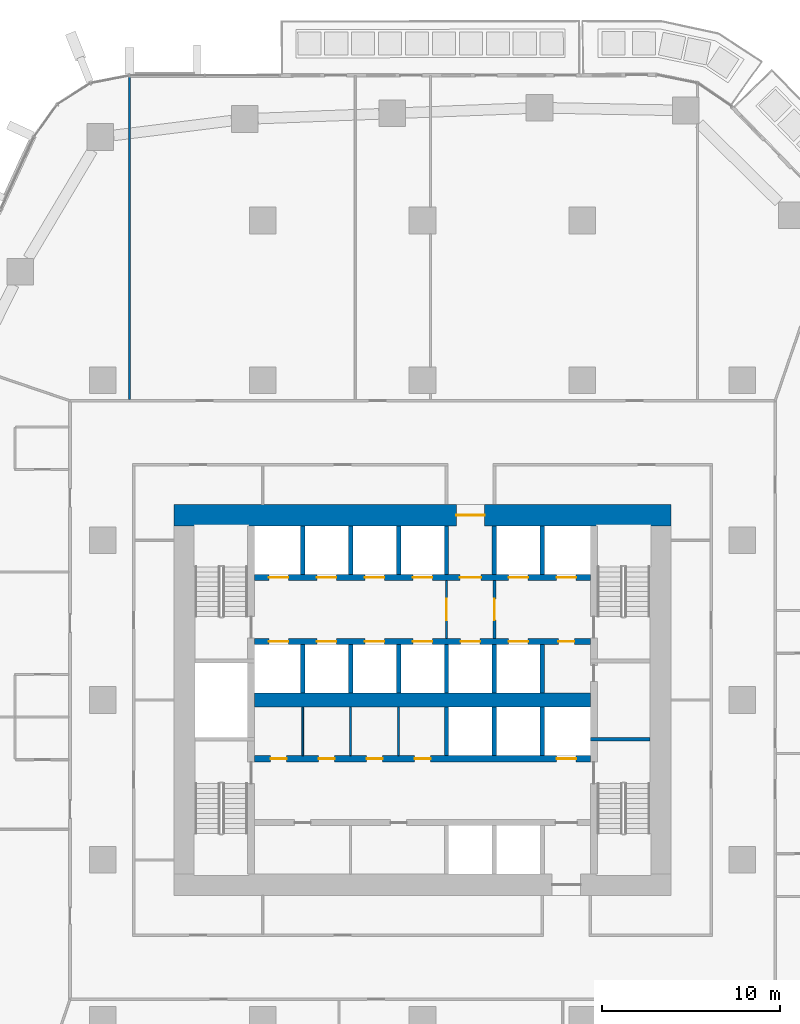
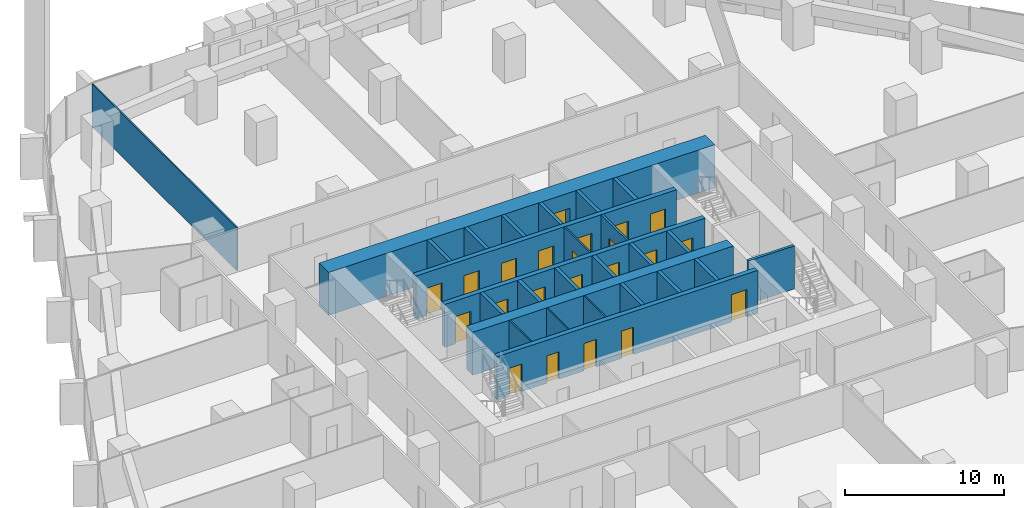
# One storey, part 15 of 26: 27 walls, 22 doors, 22 openings.
"""IFC4 building model written with IfcOpenShell, lengths in metres."""

from ifc_helpers import new_model, si_unit, direction, frame, frame_2d, origin, place, context, subcontext, project, spatial, rectangle, extrude, material, layer, layer_set, type_object, element, fill, save


model = new_model("IFC4")

# Units and contexts
model_context = context("Model", 3, precision=1e-05, world=origin(), true_north=direction((0.0, 1.0)))
body_context = subcontext(model_context, "Body", "Model", "MODEL_VIEW")
ifc_project = project(units=[si_unit("LENGTHUNIT", "METRE"), si_unit("AREAUNIT", "SQUARE_METRE"), si_unit("VOLUMEUNIT", "CUBIC_METRE"), si_unit("PLANEANGLEUNIT", "RADIAN"), si_unit("MASSUNIT", "GRAM", prefix="KILO")], contexts=[model_context])

# Site, building, storey
site_placement = place(None, origin())
site = spatial("IfcSite", under=ifc_project, at=site_placement, CompositionType="ELEMENT")
building_placement = place(site_placement, origin())
building = spatial("IfcBuilding", under=site, at=building_placement, Name="Dongbaek Canopy Tower", CompositionType="ELEMENT")
storey_placement = place(building_placement, frame((0.0, 0.0, 66.199951171875)))
storey = spatial("IfcBuildingStorey", under=building, at=storey_placement, Name="L12", CompositionType="ELEMENT", Elevation=66.199951171875)

# Wall
ifc_material_1 = material(Name="Concrete C60/75", Category="concrete")
ifc_layer_1 = layer(ifc_material_1, 0.800048828125)
ifc_layer_set_1 = layer_set([ifc_layer_1], Name="Core central wall 800 Concrete C60/75")
wall_type_1 = type_object("IfcWallType", Name="Core central wall 800 Concrete C60/75", PredefinedType="SHEAR", material=ifc_layer_set_1)
wall_1_placement = place(storey_placement, frame((-9.449951171875, 0.0, 0.0), z_axis=(0.0, 0.0, 1.0), x_axis=(1.0, 0.0, 0.0)))
element("IfcWall", 1, at=wall_1_placement, inside=storey, type_object=wall_type_1, Name="Core wall", PredefinedType="SHEAR", context=body_context, shape_type="SweptSolid", body=[
    extrude(rectangle(XDim=18.89990234375, YDim=0.800048828125, at=frame_2d((9.449951171875, 0.0))), origin(), (0.0, 0.0, 1.0), 3.300048828125),
])

# Wall, openings, doors
ifc_material_2 = material(Name="Concrete C60/75", Category="concrete")
ifc_layer_2 = layer(ifc_material_2, 0.35009765625)
ifc_layer_set_2 = layer_set([ifc_layer_2], Name="Core lobby wall 350 Concrete C60/75")
wall_type_2 = type_object("IfcWallType", Name="Core lobby wall 350 Concrete C60/75", PredefinedType="SHEAR", material=ifc_layer_set_2)
wall_2_placement = place(storey_placement, frame((-9.449951171875, 6.89990234375, 0.0), z_axis=(0.0, 0.0, 1.0), x_axis=(1.0, 0.0, 0.0)))
wall_2 = element("IfcWall", 2, at=wall_2_placement, inside=storey, type_object=wall_type_2, Name="Core wall", PredefinedType="SHEAR", context=body_context, shape_type="SweptSolid", body=[
    extrude(rectangle(XDim=18.89990234375, YDim=0.35009765625, at=frame_2d((9.449951171875, 0.0))), origin(), (0.0, 0.0, 1.0), 3.300048828125),
])
opening_1_placement = place(wall_2_placement, frame((0.800048828125, 0.0, 0.0)))
opening_1 = element("IfcOpeningElement", 3, at=opening_1_placement, cuts=wall_2, Name="Opening L12-D028", PredefinedType="OPENING", context=body_context, shape_type="SweptSolid", body=[
    extrude(rectangle(XDim=1.10009765625, YDim=2.10009765625, at=frame_2d((0.550048828125, 1.050048828125))), frame((0.0, 0.18505859375, 0.0), z_axis=(0.0, -1.0, 0.0), x_axis=(1.0, 0.0, 0.0)), (0.0, 0.0, 1.0), 0.3701171875),
])
opening_2_placement = place(wall_2_placement, frame((3.5, 0.0, 0.0)))
opening_2 = element("IfcOpeningElement", 4, at=opening_2_placement, cuts=wall_2, Name="Opening L12-D029", PredefinedType="OPENING", context=body_context, shape_type="SweptSolid", body=[
    extrude(rectangle(XDim=1.10009765625, YDim=2.10009765625, at=frame_2d((0.550048828125, 1.050048828125))), frame((0.0, 0.18505859375, 0.0), z_axis=(0.0, -1.0, 0.0), x_axis=(1.0, 0.0, 0.0)), (0.0, 0.0, 1.0), 0.3701171875),
])
opening_3_placement = place(wall_2_placement, frame((6.199951171875, 0.0, 0.0)))
opening_3 = element("IfcOpeningElement", 5, at=opening_3_placement, cuts=wall_2, Name="Opening L12-D030", PredefinedType="OPENING", context=body_context, shape_type="SweptSolid", body=[
    extrude(rectangle(XDim=1.10009765625, YDim=2.10009765625, at=frame_2d((0.550048828125, 1.050048828125))), frame((0.0, 0.18505859375, 0.0), z_axis=(0.0, -1.0, 0.0), x_axis=(1.0, 0.0, 0.0)), (0.0, 0.0, 1.0), 0.3701171875),
])
opening_4_placement = place(wall_2_placement, frame((8.89990234375, 0.0, 0.0)))
opening_4 = element("IfcOpeningElement", 6, at=opening_4_placement, cuts=wall_2, Name="Opening L12-D031", PredefinedType="OPENING", context=body_context, shape_type="SweptSolid", body=[
    extrude(rectangle(XDim=1.10009765625, YDim=2.10009765625, at=frame_2d((0.550048828125, 1.050048828125))), frame((0.0, 0.18505859375, 0.0), z_axis=(0.0, -1.0, 0.0), x_axis=(1.0, 0.0, 0.0)), (0.0, 0.0, 1.0), 0.3701171875),
])
opening_5_placement = place(wall_2_placement, frame((11.550048828125, 0.0, 0.0)))
opening_5 = element("IfcOpeningElement", 7, at=opening_5_placement, cuts=wall_2, Name="Opening L12-D033", PredefinedType="OPENING", context=body_context, shape_type="SweptSolid", body=[
    extrude(rectangle(XDim=1.199951171875, YDim=2.10009765625, at=frame_2d((0.60009765625, 1.050048828125))), frame((0.0, 0.18505859375, 0.0), z_axis=(0.0, -1.0, 0.0), x_axis=(1.0, 0.0, 0.0)), (0.0, 0.0, 1.0), 0.3701171875),
])
opening_6_placement = place(wall_2_placement, frame((14.300048828125, 0.0, 0.0)))
opening_6 = element("IfcOpeningElement", 8, at=opening_6_placement, cuts=wall_2, Name="Opening L12-D034", PredefinedType="OPENING", context=body_context, shape_type="SweptSolid", body=[
    extrude(rectangle(XDim=1.10009765625, YDim=2.10009765625, at=frame_2d((0.550048828125, 1.050048828125))), frame((0.0, 0.18505859375, 0.0), z_axis=(0.0, -1.0, 0.0), x_axis=(1.0, 0.0, 0.0)), (0.0, 0.0, 1.0), 0.3701171875),
])
opening_7_placement = place(wall_2_placement, frame((17.0, 0.0, 0.0)))
opening_7 = element("IfcOpeningElement", 9, at=opening_7_placement, cuts=wall_2, Name="Opening L12-D035", PredefinedType="OPENING", context=body_context, shape_type="SweptSolid", body=[
    extrude(rectangle(XDim=1.10009765625, YDim=2.10009765625, at=frame_2d((0.550048828125, 1.050048828125))), frame((0.0, 0.18505859375, 0.0), z_axis=(0.0, -1.0, 0.0), x_axis=(1.0, 0.0, 0.0)), (0.0, 0.0, 1.0), 0.3701171875),
])
ifc_material_3 = material(Name="Steel", Category="steel")
door_type_1 = type_object("IfcDoorType", Name="Fire lobby door 1200 x 2100", OperationType="SINGLE_SWING_LEFT", PredefinedType="DOOR", material=ifc_material_3)
door_1_placement = place(opening_5_placement, origin())
door_1 = element("IfcDoor", 10, at=door_1_placement, inside=storey, type_object=door_type_1, Name="Door L12-D033", OperationType="SINGLE_SWING_LEFT", OverallHeight=2.10009765625, OverallWidth=1.199951171875, PredefinedType="DOOR", context=body_context, shape_type="SweptSolid", body=[
    extrude(rectangle(XDim=1.199951171875, YDim=2.10009765625, at=frame_2d((0.60009765625, 1.050048828125))), frame((0.0, 0.02490234375, 0.0), z_axis=(0.0, -1.0, 0.0), x_axis=(1.0, 0.0, 0.0)), (0.0, 0.0, 1.0), 0.050048828125),
])
fill(opening_5, door_1)
ifc_material_4 = material(Name="Stainless steel", Category="steel")
door_type_2 = type_object("IfcDoorType", Name="Lift landing door 1100 x 2100", OperationType="DOUBLE_DOOR_SLIDING", PredefinedType="DOOR", material=ifc_material_4)
door_2_placement = place(opening_1_placement, origin())
door_2 = element("IfcDoor", 11, at=door_2_placement, inside=storey, type_object=door_type_2, Name="Landing door LR1", OperationType="DOUBLE_DOOR_SLIDING", OverallHeight=2.10009765625, OverallWidth=1.10009765625, PredefinedType="DOOR", context=body_context, shape_type="SweptSolid", body=[
    extrude(rectangle(XDim=1.10009765625, YDim=2.10009765625, at=frame_2d((0.550048828125, 1.050048828125))), frame((0.0, 0.02490234375, 0.0), z_axis=(0.0, -1.0, 0.0), x_axis=(1.0, 0.0, 0.0)), (0.0, 0.0, 1.0), 0.050048828125),
])
fill(opening_1, door_2)
door_3_placement = place(opening_2_placement, origin())
door_3 = element("IfcDoor", 12, at=door_3_placement, inside=storey, type_object=door_type_2, Name="Landing door LR2", OperationType="DOUBLE_DOOR_SLIDING", OverallHeight=2.10009765625, OverallWidth=1.10009765625, PredefinedType="DOOR", context=body_context, shape_type="SweptSolid", body=[
    extrude(rectangle(XDim=1.10009765625, YDim=2.10009765625, at=frame_2d((0.550048828125, 1.050048828125))), frame((0.0, 0.02490234375, 0.0), z_axis=(0.0, -1.0, 0.0), x_axis=(1.0, 0.0, 0.0)), (0.0, 0.0, 1.0), 0.050048828125),
])
fill(opening_2, door_3)
door_4_placement = place(opening_3_placement, origin())
door_4 = element("IfcDoor", 13, at=door_4_placement, inside=storey, type_object=door_type_2, Name="Landing door LR3", OperationType="DOUBLE_DOOR_SLIDING", OverallHeight=2.10009765625, OverallWidth=1.10009765625, PredefinedType="DOOR", context=body_context, shape_type="SweptSolid", body=[
    extrude(rectangle(XDim=1.10009765625, YDim=2.10009765625, at=frame_2d((0.550048828125, 1.050048828125))), frame((0.0, 0.02490234375, 0.0), z_axis=(0.0, -1.0, 0.0), x_axis=(1.0, 0.0, 0.0)), (0.0, 0.0, 1.0), 0.050048828125),
])
fill(opening_3, door_4)
door_5_placement = place(opening_4_placement, origin())
door_5 = element("IfcDoor", 14, at=door_5_placement, inside=storey, type_object=door_type_2, Name="Landing door LR4", OperationType="DOUBLE_DOOR_SLIDING", OverallHeight=2.10009765625, OverallWidth=1.10009765625, PredefinedType="DOOR", context=body_context, shape_type="SweptSolid", body=[
    extrude(rectangle(XDim=1.10009765625, YDim=2.10009765625, at=frame_2d((0.550048828125, 1.050048828125))), frame((0.0, 0.02490234375, 0.0), z_axis=(0.0, -1.0, 0.0), x_axis=(1.0, 0.0, 0.0)), (0.0, 0.0, 1.0), 0.050048828125),
])
fill(opening_4, door_5)
door_6_placement = place(opening_6_placement, origin())
door_6 = element("IfcDoor", 15, at=door_6_placement, inside=storey, type_object=door_type_2, Name="Landing door FF1", OperationType="DOUBLE_DOOR_SLIDING", OverallHeight=2.10009765625, OverallWidth=1.10009765625, PredefinedType="DOOR", context=body_context, shape_type="SweptSolid", body=[
    extrude(rectangle(XDim=1.10009765625, YDim=2.10009765625, at=frame_2d((0.550048828125, 1.050048828125))), frame((0.0, 0.02490234375, 0.0), z_axis=(0.0, -1.0, 0.0), x_axis=(1.0, 0.0, 0.0)), (0.0, 0.0, 1.0), 0.050048828125),
])
fill(opening_6, door_6)
door_7_placement = place(opening_7_placement, origin())
door_7 = element("IfcDoor", 16, at=door_7_placement, inside=storey, type_object=door_type_2, Name="Landing door FF2", OperationType="DOUBLE_DOOR_SLIDING", OverallHeight=2.10009765625, OverallWidth=1.10009765625, PredefinedType="DOOR", context=body_context, shape_type="SweptSolid", body=[
    extrude(rectangle(XDim=1.10009765625, YDim=2.10009765625, at=frame_2d((0.550048828125, 1.050048828125))), frame((0.0, 0.02490234375, 0.0), z_axis=(0.0, -1.0, 0.0), x_axis=(1.0, 0.0, 0.0)), (0.0, 0.0, 1.0), 0.050048828125),
])
fill(opening_7, door_7)

wall_3_placement = place(storey_placement, frame((9.449951171875, 3.300048828125, 0.0), z_axis=(0.0, 0.0, 1.0), x_axis=(-1.0, 0.0, 0.0)))
wall_3 = element("IfcWall", 17, at=wall_3_placement, inside=storey, type_object=wall_type_2, Name="Core wall", PredefinedType="SHEAR", context=body_context, shape_type="SweptSolid", body=[
    extrude(rectangle(XDim=18.89990234375, YDim=0.35009765625, at=frame_2d((9.449951171875, 0.0))), origin(), (0.0, 0.0, 1.0), 3.300048828125),
])
opening_8_placement = place(wall_3_placement, frame((17.0, 0.0, 0.0)))
opening_8 = element("IfcOpeningElement", 18, at=opening_8_placement, cuts=wall_3, Name="Opening L12-D036", PredefinedType="OPENING", context=body_context, shape_type="SweptSolid", body=[
    extrude(rectangle(XDim=1.10009765625, YDim=2.10009765625, at=frame_2d((0.550048828125, 1.050048828125))), frame((0.0, 0.18505859375, 0.0), z_axis=(0.0, -1.0, 0.0), x_axis=(1.0, 0.0, 0.0)), (0.0, 0.0, 1.0), 0.3701171875),
])
opening_9_placement = place(wall_3_placement, frame((14.300048828125, 0.0, 0.0)))
opening_9 = element("IfcOpeningElement", 19, at=opening_9_placement, cuts=wall_3, Name="Opening L12-D037", PredefinedType="OPENING", context=body_context, shape_type="SweptSolid", body=[
    extrude(rectangle(XDim=1.10009765625, YDim=2.10009765625, at=frame_2d((0.550048828125, 1.050048828125))), frame((0.0, 0.18505859375, 0.0), z_axis=(0.0, -1.0, 0.0), x_axis=(1.0, 0.0, 0.0)), (0.0, 0.0, 1.0), 0.3701171875),
])
opening_10_placement = place(wall_3_placement, frame((11.60009765625, 0.0, 0.0)))
opening_10 = element("IfcOpeningElement", 20, at=opening_10_placement, cuts=wall_3, Name="Opening L12-D038", PredefinedType="OPENING", context=body_context, shape_type="SweptSolid", body=[
    extrude(rectangle(XDim=1.10009765625, YDim=2.10009765625, at=frame_2d((0.550048828125, 1.050048828125))), frame((0.0, 0.18505859375, 0.0), z_axis=(0.0, -1.0, 0.0), x_axis=(1.0, 0.0, 0.0)), (0.0, 0.0, 1.0), 0.3701171875),
])
opening_11_placement = place(wall_3_placement, frame((8.89990234375, 0.0, 0.0)))
opening_11 = element("IfcOpeningElement", 21, at=opening_11_placement, cuts=wall_3, Name="Opening L12-D039", PredefinedType="OPENING", context=body_context, shape_type="SweptSolid", body=[
    extrude(rectangle(XDim=1.10009765625, YDim=2.10009765625, at=frame_2d((0.550048828125, 1.050048828125))), frame((0.0, 0.18505859375, 0.0), z_axis=(0.0, -1.0, 0.0), x_axis=(1.0, 0.0, 0.0)), (0.0, 0.0, 1.0), 0.3701171875),
])
opening_12_placement = place(wall_3_placement, frame((6.199951171875, 0.0, 0.0)))
opening_12 = element("IfcOpeningElement", 22, at=opening_12_placement, cuts=wall_3, Name="Opening L12-D040", PredefinedType="OPENING", context=body_context, shape_type="SweptSolid", body=[
    extrude(rectangle(XDim=1.10009765625, YDim=2.10009765625, at=frame_2d((0.550048828125, 1.050048828125))), frame((0.0, 0.18505859375, 0.0), z_axis=(0.0, -1.0, 0.0), x_axis=(1.0, 0.0, 0.0)), (0.0, 0.0, 1.0), 0.3701171875),
])
opening_13_placement = place(wall_3_placement, frame((3.5, 0.0, 0.0)))
opening_13 = element("IfcOpeningElement", 23, at=opening_13_placement, cuts=wall_3, Name="Opening L12-D041", PredefinedType="OPENING", context=body_context, shape_type="SweptSolid", body=[
    extrude(rectangle(XDim=1.10009765625, YDim=2.10009765625, at=frame_2d((0.550048828125, 1.050048828125))), frame((0.0, 0.18505859375, 0.0), z_axis=(0.0, -1.0, 0.0), x_axis=(1.0, 0.0, 0.0)), (0.0, 0.0, 1.0), 0.3701171875),
])
opening_14_placement = place(wall_3_placement, frame((0.89990234375, 0.0, 0.0)))
opening_14 = element("IfcOpeningElement", 24, at=opening_14_placement, cuts=wall_3, Name="Opening L12-D042", PredefinedType="OPENING", context=body_context, shape_type="SweptSolid", body=[
    extrude(rectangle(XDim=0.89990234375, YDim=2.10009765625, at=frame_2d((0.449951171875, 1.050048828125))), frame((0.0, 0.18505859375, 0.0), z_axis=(0.0, -1.0, 0.0), x_axis=(1.0, 0.0, 0.0)), (0.0, 0.0, 1.0), 0.3701171875),
])
ifc_material_5 = material(Name="Steel", Category="steel")
door_type_3 = type_object("IfcDoorType", Name="Core room door 900 x 2100", OperationType="SINGLE_SWING_LEFT", PredefinedType="DOOR", material=ifc_material_5)
door_8_placement = place(opening_14_placement, origin())
door_8 = element("IfcDoor", 25, at=door_8_placement, inside=storey, type_object=door_type_3, Name="Door L12-D042", OperationType="SINGLE_SWING_LEFT", OverallHeight=2.10009765625, OverallWidth=0.89990234375, PredefinedType="DOOR", context=body_context, shape_type="SweptSolid", body=[
    extrude(rectangle(XDim=0.89990234375, YDim=2.10009765625, at=frame_2d((0.449951171875, 1.050048828125))), frame((0.0, 0.02490234375, 0.0), z_axis=(0.0, -1.0, 0.0), x_axis=(1.0, 0.0, 0.0)), (0.0, 0.0, 1.0), 0.050048828125),
])
fill(opening_14, door_8)
door_9_placement = place(opening_8_placement, origin())
door_9 = element("IfcDoor", 26, at=door_9_placement, inside=storey, type_object=door_type_2, Name="Landing door LR5", OperationType="DOUBLE_DOOR_SLIDING", OverallHeight=2.10009765625, OverallWidth=1.10009765625, PredefinedType="DOOR", context=body_context, shape_type="SweptSolid", body=[
    extrude(rectangle(XDim=1.10009765625, YDim=2.10009765625, at=frame_2d((0.550048828125, 1.050048828125))), frame((0.0, 0.02490234375, 0.0), z_axis=(0.0, -1.0, 0.0), x_axis=(1.0, 0.0, 0.0)), (0.0, 0.0, 1.0), 0.050048828125),
])
fill(opening_8, door_9)
door_10_placement = place(opening_9_placement, origin())
door_10 = element("IfcDoor", 27, at=door_10_placement, inside=storey, type_object=door_type_2, Name="Landing door LR6", OperationType="DOUBLE_DOOR_SLIDING", OverallHeight=2.10009765625, OverallWidth=1.10009765625, PredefinedType="DOOR", context=body_context, shape_type="SweptSolid", body=[
    extrude(rectangle(XDim=1.10009765625, YDim=2.10009765625, at=frame_2d((0.550048828125, 1.050048828125))), frame((0.0, 0.02490234375, 0.0), z_axis=(0.0, -1.0, 0.0), x_axis=(1.0, 0.0, 0.0)), (0.0, 0.0, 1.0), 0.050048828125),
])
fill(opening_9, door_10)
door_11_placement = place(opening_10_placement, origin())
door_11 = element("IfcDoor", 28, at=door_11_placement, inside=storey, type_object=door_type_2, Name="Landing door LR7", OperationType="DOUBLE_DOOR_SLIDING", OverallHeight=2.10009765625, OverallWidth=1.10009765625, PredefinedType="DOOR", context=body_context, shape_type="SweptSolid", body=[
    extrude(rectangle(XDim=1.10009765625, YDim=2.10009765625, at=frame_2d((0.550048828125, 1.050048828125))), frame((0.0, 0.02490234375, 0.0), z_axis=(0.0, -1.0, 0.0), x_axis=(1.0, 0.0, 0.0)), (0.0, 0.0, 1.0), 0.050048828125),
])
fill(opening_10, door_11)
door_12_placement = place(opening_11_placement, origin())
door_12 = element("IfcDoor", 29, at=door_12_placement, inside=storey, type_object=door_type_2, Name="Landing door LR8", OperationType="DOUBLE_DOOR_SLIDING", OverallHeight=2.10009765625, OverallWidth=1.10009765625, PredefinedType="DOOR", context=body_context, shape_type="SweptSolid", body=[
    extrude(rectangle(XDim=1.10009765625, YDim=2.10009765625, at=frame_2d((0.550048828125, 1.050048828125))), frame((0.0, 0.02490234375, 0.0), z_axis=(0.0, -1.0, 0.0), x_axis=(1.0, 0.0, 0.0)), (0.0, 0.0, 1.0), 0.050048828125),
])
fill(opening_11, door_12)
door_13_placement = place(opening_12_placement, origin())
door_13 = element("IfcDoor", 30, at=door_13_placement, inside=storey, type_object=door_type_2, Name="Landing door SV1", OperationType="DOUBLE_DOOR_SLIDING", OverallHeight=2.10009765625, OverallWidth=1.10009765625, PredefinedType="DOOR", context=body_context, shape_type="SweptSolid", body=[
    extrude(rectangle(XDim=1.10009765625, YDim=2.10009765625, at=frame_2d((0.550048828125, 1.050048828125))), frame((0.0, 0.02490234375, 0.0), z_axis=(0.0, -1.0, 0.0), x_axis=(1.0, 0.0, 0.0)), (0.0, 0.0, 1.0), 0.050048828125),
])
fill(opening_12, door_13)
door_14_placement = place(opening_13_placement, origin())
door_14 = element("IfcDoor", 31, at=door_14_placement, inside=storey, type_object=door_type_2, Name="Landing door FF3", OperationType="DOUBLE_DOOR_SLIDING", OverallHeight=2.10009765625, OverallWidth=1.10009765625, PredefinedType="DOOR", context=body_context, shape_type="SweptSolid", body=[
    extrude(rectangle(XDim=1.10009765625, YDim=2.10009765625, at=frame_2d((0.550048828125, 1.050048828125))), frame((0.0, 0.02490234375, 0.0), z_axis=(0.0, -1.0, 0.0), x_axis=(1.0, 0.0, 0.0)), (0.0, 0.0, 1.0), 0.050048828125),
])
fill(opening_13, door_14)

wall_4_placement = place(storey_placement, frame((-9.449951171875, -3.300048828125, 0.0), z_axis=(0.0, 0.0, 1.0), x_axis=(1.0, 0.0, 0.0)))
wall_4 = element("IfcWall", 32, at=wall_4_placement, inside=storey, type_object=wall_type_2, Name="Core wall", PredefinedType="SHEAR", context=body_context, shape_type="SweptSolid", body=[
    extrude(rectangle(XDim=18.89990234375, YDim=0.35009765625, at=frame_2d((9.449951171875, 0.0))), origin(), (0.0, 0.0, 1.0), 3.300048828125),
])
opening_15_placement = place(wall_4_placement, frame((17.0, 0.0, 0.0)))
opening_15 = element("IfcOpeningElement", 33, at=opening_15_placement, cuts=wall_4, Name="Opening L12-D043", PredefinedType="OPENING", context=body_context, shape_type="SweptSolid", body=[
    extrude(rectangle(XDim=1.10009765625, YDim=2.10009765625, at=frame_2d((0.550048828125, 1.050048828125))), frame((0.0, 0.18505859375, 0.0), z_axis=(0.0, -1.0, 0.0), x_axis=(1.0, 0.0, 0.0)), (0.0, 0.0, 1.0), 0.3701171875),
])
opening_16_placement = place(wall_4_placement, frame((0.89990234375, 0.0, 0.0)))
opening_16 = element("IfcOpeningElement", 34, at=opening_16_placement, cuts=wall_4, Name="Opening L12-D046", PredefinedType="OPENING", context=body_context, shape_type="SweptSolid", body=[
    extrude(rectangle(XDim=0.89990234375, YDim=2.10009765625, at=frame_2d((0.449951171875, 1.050048828125))), frame((0.0, 0.18505859375, 0.0), z_axis=(0.0, -1.0, 0.0), x_axis=(1.0, 0.0, 0.0)), (0.0, 0.0, 1.0), 0.3701171875),
])
opening_17_placement = place(wall_4_placement, frame((3.60009765625, 0.0, 0.0)))
opening_17 = element("IfcOpeningElement", 35, at=opening_17_placement, cuts=wall_4, Name="Opening L12-D047", PredefinedType="OPENING", context=body_context, shape_type="SweptSolid", body=[
    extrude(rectangle(XDim=0.89990234375, YDim=2.10009765625, at=frame_2d((0.449951171875, 1.050048828125))), frame((0.0, 0.18505859375, 0.0), z_axis=(0.0, -1.0, 0.0), x_axis=(1.0, 0.0, 0.0)), (0.0, 0.0, 1.0), 0.3701171875),
])
opening_18_placement = place(wall_4_placement, frame((6.300048828125, 0.0, 0.0)))
opening_18 = element("IfcOpeningElement", 36, at=opening_18_placement, cuts=wall_4, Name="Opening L12-D048", PredefinedType="OPENING", context=body_context, shape_type="SweptSolid", body=[
    extrude(rectangle(XDim=0.89990234375, YDim=2.10009765625, at=frame_2d((0.449951171875, 1.050048828125))), frame((0.0, 0.18505859375, 0.0), z_axis=(0.0, -1.0, 0.0), x_axis=(1.0, 0.0, 0.0)), (0.0, 0.0, 1.0), 0.3701171875),
])
opening_19_placement = place(wall_4_placement, frame((9.0, 0.0, 0.0)))
opening_19 = element("IfcOpeningElement", 37, at=opening_19_placement, cuts=wall_4, Name="Opening L12-D049", PredefinedType="OPENING", context=body_context, shape_type="SweptSolid", body=[
    extrude(rectangle(XDim=0.89990234375, YDim=2.10009765625, at=frame_2d((0.449951171875, 1.050048828125))), frame((0.0, 0.18505859375, 0.0), z_axis=(0.0, -1.0, 0.0), x_axis=(1.0, 0.0, 0.0)), (0.0, 0.0, 1.0), 0.3701171875),
])
door_15_placement = place(opening_16_placement, origin())
door_15 = element("IfcDoor", 38, at=door_15_placement, inside=storey, type_object=door_type_3, Name="Door L12-D046", OperationType="SINGLE_SWING_RIGHT", OverallHeight=2.10009765625, OverallWidth=0.89990234375, PredefinedType="DOOR", context=body_context, shape_type="SweptSolid", body=[
    extrude(rectangle(XDim=0.89990234375, YDim=2.10009765625, at=frame_2d((0.449951171875, 1.050048828125))), frame((0.0, 0.02490234375, 0.0), z_axis=(0.0, -1.0, 0.0), x_axis=(1.0, 0.0, 0.0)), (0.0, 0.0, 1.0), 0.050048828125),
])
fill(opening_16, door_15)
door_16_placement = place(opening_17_placement, origin())
door_16 = element("IfcDoor", 39, at=door_16_placement, inside=storey, type_object=door_type_3, Name="Door L12-D047", OperationType="SINGLE_SWING_LEFT", OverallHeight=2.10009765625, OverallWidth=0.89990234375, PredefinedType="DOOR", context=body_context, shape_type="SweptSolid", body=[
    extrude(rectangle(XDim=0.89990234375, YDim=2.10009765625, at=frame_2d((0.449951171875, 1.050048828125))), frame((0.0, 0.02490234375, 0.0), z_axis=(0.0, -1.0, 0.0), x_axis=(1.0, 0.0, 0.0)), (0.0, 0.0, 1.0), 0.050048828125),
])
fill(opening_17, door_16)
door_17_placement = place(opening_18_placement, origin())
door_17 = element("IfcDoor", 40, at=door_17_placement, inside=storey, type_object=door_type_3, Name="Door L12-D048", OperationType="SINGLE_SWING_RIGHT", OverallHeight=2.10009765625, OverallWidth=0.89990234375, PredefinedType="DOOR", context=body_context, shape_type="SweptSolid", body=[
    extrude(rectangle(XDim=0.89990234375, YDim=2.10009765625, at=frame_2d((0.449951171875, 1.050048828125))), frame((0.0, 0.02490234375, 0.0), z_axis=(0.0, -1.0, 0.0), x_axis=(1.0, 0.0, 0.0)), (0.0, 0.0, 1.0), 0.050048828125),
])
fill(opening_18, door_17)
door_18_placement = place(opening_19_placement, origin())
door_18 = element("IfcDoor", 41, at=door_18_placement, inside=storey, type_object=door_type_3, Name="Door L12-D049", OperationType="SINGLE_SWING_LEFT", OverallHeight=2.10009765625, OverallWidth=0.89990234375, PredefinedType="DOOR", context=body_context, shape_type="SweptSolid", body=[
    extrude(rectangle(XDim=0.89990234375, YDim=2.10009765625, at=frame_2d((0.449951171875, 1.050048828125))), frame((0.0, 0.02490234375, 0.0), z_axis=(0.0, -1.0, 0.0), x_axis=(1.0, 0.0, 0.0)), (0.0, 0.0, 1.0), 0.050048828125),
])
fill(opening_19, door_18)
door_19_placement = place(opening_15_placement, origin())
door_19 = element("IfcDoor", 42, at=door_19_placement, inside=storey, type_object=door_type_2, Name="Landing door SV2", OperationType="DOUBLE_DOOR_SLIDING", OverallHeight=2.10009765625, OverallWidth=1.10009765625, PredefinedType="DOOR", context=body_context, shape_type="SweptSolid", body=[
    extrude(rectangle(XDim=1.10009765625, YDim=2.10009765625, at=frame_2d((0.550048828125, 1.050048828125))), frame((0.0, 0.02490234375, 0.0), z_axis=(0.0, -1.0, 0.0), x_axis=(1.0, 0.0, 0.0)), (0.0, 0.0, 1.0), 0.050048828125),
])
fill(opening_15, door_19)

# Wall, opening, door
ifc_material_6 = material(Name="Concrete C60/75", Category="concrete")
ifc_layer_3 = layer(ifc_material_6, 1.199951171875)
ifc_layer_set_3 = layer_set([ifc_layer_3], Name="Core outer wall 1200 Concrete C60/75")
wall_type_3 = type_object("IfcWallType", Name="Core outer wall 1200 Concrete C60/75", PredefinedType="SHEAR", material=ifc_layer_set_3)
wall_5_placement = place(storey_placement, frame((-14.0, 10.39990234375, 0.0), z_axis=(0.0, 0.0, 1.0), x_axis=(1.0, 0.0, 0.0)))
wall_5 = element("IfcWall", 43, at=wall_5_placement, inside=storey, type_object=wall_type_3, Name="Core wall", PredefinedType="SHEAR", context=body_context, shape_type="SweptSolid", body=[
    extrude(rectangle(XDim=28.0, YDim=1.199951171875, at=frame_2d((14.0, 0.0))), origin(), (0.0, 0.0, 1.0), 3.300048828125),
])
opening_20_placement = place(wall_5_placement, frame((15.89990234375, 0.0, 0.0)))
opening_20 = element("IfcOpeningElement", 44, at=opening_20_placement, cuts=wall_5, Name="Opening L12-D032", PredefinedType="OPENING", context=body_context, shape_type="SweptSolid", body=[
    extrude(rectangle(XDim=1.60009765625, YDim=2.10009765625, at=frame_2d((0.800048828125, 1.050048828125))), frame((0.0, 0.60986328125, 0.0), z_axis=(0.0, -1.0, 0.0), x_axis=(1.0, 0.0, 0.0)), (0.0, 0.0, 1.0), 1.219970703125),
])
ifc_material_7 = material(Name="Steel", Category="steel")
door_type_4 = type_object("IfcDoorType", Name="Core exit door 1600 x 2100", OperationType="DOUBLE_DOOR_SINGLE_SWING", PredefinedType="DOOR", material=ifc_material_7)
door_20_placement = place(opening_20_placement, origin())
door_20 = element("IfcDoor", 45, at=door_20_placement, inside=storey, type_object=door_type_4, Name="Core exit door", OperationType="DOUBLE_DOOR_SINGLE_SWING", OverallHeight=2.10009765625, OverallWidth=1.60009765625, PredefinedType="DOOR", context=body_context, shape_type="SweptSolid", body=[
    extrude(rectangle(XDim=1.60009765625, YDim=2.10009765625, at=frame_2d((0.800048828125, 1.050048828125))), frame((0.0, 0.02490234375, 0.0), z_axis=(0.0, -1.0, 0.0), x_axis=(1.0, 0.0, 0.0)), (0.0, 0.0, 1.0), 0.050048828125),
])
fill(opening_20, door_20)

ifc_material_8 = material(Name="Gypsum board partition, steel stud, 2 x 15 mm fire board", Category="steel")
ifc_layer_4 = layer(ifc_material_8, 0.14990234375)
ifc_layer_set_4 = layer_set([ifc_layer_4], Name="Fire-rated partition 150 gypsum board")
wall_type_4 = type_object("IfcWallType", Name="Fire-rated partition 150 gypsum board", PredefinedType="PARTITIONING", material=ifc_layer_set_4)
wall_6_placement = place(storey_placement, frame((4.050048828125, 6.72509765625, 0.0), z_axis=(0.0, 0.0, 1.0), x_axis=(0.0, -1.0, 0.0)))
wall_6 = element("IfcWall", 46, at=wall_6_placement, inside=storey, type_object=wall_type_4, Name="Fire lobby partition", PredefinedType="PARTITIONING", context=body_context, shape_type="SweptSolid", body=[
    extrude(rectangle(XDim=3.25, YDim=0.14990234375, at=frame_2d((1.625, 0.0))), origin(), (0.0, 0.0, 1.0), 3.300048828125),
])
opening_21_placement = place(wall_6_placement, frame((1.02490234375, 0.0, 0.0)))
opening_21 = element("IfcOpeningElement", 47, at=opening_21_placement, cuts=wall_6, Name="Opening L12-D057", PredefinedType="OPENING", context=body_context, shape_type="SweptSolid", body=[
    extrude(rectangle(XDim=1.199951171875, YDim=2.10009765625, at=frame_2d((0.60009765625, 1.050048828125))), frame((0.0, 0.0849609375, 0.0), z_axis=(0.0, -1.0, 0.0), x_axis=(1.0, 0.0, 0.0)), (0.0, 0.0, 1.0), 0.169921875),
])
door_21_placement = place(opening_21_placement, origin())
door_21 = element("IfcDoor", 48, at=door_21_placement, inside=storey, type_object=door_type_1, Name="Door L12-D057", OperationType="SINGLE_SWING_RIGHT", OverallHeight=2.10009765625, OverallWidth=1.199951171875, PredefinedType="DOOR", context=body_context, shape_type="SweptSolid", body=[
    extrude(rectangle(XDim=1.199951171875, YDim=2.10009765625, at=frame_2d((0.60009765625, 1.050048828125))), frame((0.0, 0.02490234375, 0.0), z_axis=(0.0, -1.0, 0.0), x_axis=(1.0, 0.0, 0.0)), (0.0, 0.0, 1.0), 0.050048828125),
])
fill(opening_21, door_21)

# Walls
ifc_material_9 = material(Name="Concrete C40/50", Category="concrete")
ifc_layer_5 = layer(ifc_material_9, 0.25)
ifc_layer_set_5 = layer_set([ifc_layer_5], Name="Lift shaft wall 250 Concrete C40/50")
wall_type_5 = type_object("IfcWallType", Name="Lift shaft wall 250 Concrete C40/50", PredefinedType="SOLIDWALL", material=ifc_layer_set_5)
for number, where, z_axis, x_axis, name in (
    (49, (6.75, -3.125, 0.0), (0.0, 0.0, 1.0), (0.0, 1.0, 0.0), "Lift shaft wall"),
    (50, (6.75, 0.39990234375, 0.0), (0.0, 0.0, 1.0), (0.0, 1.0, 0.0), "Lift shaft wall"),
    (51, (6.75, 7.074951171875, 0.0), (0.0, 0.0, 1.0), (0.0, 1.0, 0.0), "Lift shaft wall"),
    (52, (4.050048828125, -3.125, 0.0), (0.0, 0.0, 1.0), (0.0, 1.0, 0.0), "Lift shaft wall"),
    (53, (4.050048828125, 0.39990234375, 0.0), (0.0, 0.0, 1.0), (0.0, 1.0, 0.0), "Lift shaft wall"),
    (54, (4.050048828125, 7.074951171875, 0.0), (0.0, 0.0, 1.0), (0.0, 1.0, 0.0), "Lift shaft wall"),
    (55, (1.35009765625, -3.125, 0.0), (0.0, 0.0, 1.0), (0.0, 1.0, 0.0), "Lift shaft wall"),
    (56, (1.35009765625, 0.39990234375, 0.0), (0.0, 0.0, 1.0), (0.0, 1.0, 0.0), "Lift shaft wall"),
    (57, (1.35009765625, 7.074951171875, 0.0), (0.0, 0.0, 1.0), (0.0, 1.0, 0.0), "Lift shaft wall"),
    (58, (-1.35009765625, 0.39990234375, 0.0), (0.0, 0.0, 1.0), (0.0, 1.0, 0.0), "Lift shaft wall"),
    (59, (-1.35009765625, 7.074951171875, 0.0), (0.0, 0.0, 1.0), (0.0, 1.0, 0.0), "Lift shaft wall"),
    (60, (-4.050048828125, 0.39990234375, 0.0), (0.0, 0.0, 1.0), (0.0, 1.0, 0.0), "Lift shaft wall"),
    (61, (-4.050048828125, 7.074951171875, 0.0), (0.0, 0.0, 1.0), (0.0, 1.0, 0.0), "Lift shaft wall"),
    (62, (-6.75, 0.39990234375, 0.0), (0.0, 0.0, 1.0), (0.0, 1.0, 0.0), "Lift shaft wall"),
    (63, (-6.75, 7.074951171875, 0.0), (0.0, 0.0, 1.0), (0.0, 1.0, 0.0), "Lift shaft wall"),
):
    element("IfcWall", number, at=place(storey_placement, frame(where, z_axis=z_axis, x_axis=x_axis)), inside=storey, type_object=wall_type_5, Name=name, PredefinedType="SOLIDWALL", context=body_context, shape_type="SweptSolid", body=[
        extrude(rectangle(XDim=2.72509765625, YDim=0.25, at=frame_2d((1.362548828125, 0.0))), origin(), (0.0, 0.0, 1.0), 3.300048828125),
    ])
ifc_material_10 = material(Name="Gypsum board partition, steel stud, 2 x 12.5 mm board", Category="steel")
ifc_layer_6 = layer(ifc_material_10, 0.10009765625)
ifc_layer_set_6 = layer_set([ifc_layer_6], Name="Partition 100 gypsum board")
wall_type_6 = type_object("IfcWallType", Name="Partition 100 gypsum board", PredefinedType="PARTITIONING", material=ifc_layer_set_6)
wall_7_placement = place(storey_placement, frame((-16.5029296875, 16.925048828125, 0.0), z_axis=(0.0, 0.0, 1.0), x_axis=(0.0, 1.0, 0.0)))
element("IfcWall", 64, at=wall_7_placement, inside=storey, type_object=wall_type_6, Name="Partition", PredefinedType="PARTITIONING", context=body_context, shape_type="SweptSolid", body=[
    extrude(rectangle(XDim=18.207763671875, YDim=0.10009765625, at=frame_2d((9.10400390625, 0.0))), origin(), (0.0, 0.0, 1.0), 3.300048828125),
])

# Wall, opening, door
wall_8_placement = place(storey_placement, frame((1.35009765625, 6.72509765625, 0.0), z_axis=(0.0, 0.0, 1.0), x_axis=(0.0, -1.0, 0.0)))
wall_8 = element("IfcWall", 65, at=wall_8_placement, inside=storey, type_object=wall_type_6, Name="Core partition", PredefinedType="PARTITIONING", context=body_context, shape_type="SweptSolid", body=[
    extrude(rectangle(XDim=3.25, YDim=0.10009765625, at=frame_2d((1.625, 0.0))), origin(), (0.0, 0.0, 1.0), 3.300048828125),
])
opening_22_placement = place(wall_8_placement, frame((1.02490234375, 0.0, 0.0)))
opening_22 = element("IfcOpeningElement", 66, at=opening_22_placement, cuts=wall_8, Name="Opening L12-D056", PredefinedType="OPENING", context=body_context, shape_type="SweptSolid", body=[
    extrude(rectangle(XDim=1.199951171875, YDim=2.10009765625, at=frame_2d((0.60009765625, 1.050048828125))), frame((0.0, 0.06005859375, 0.0), z_axis=(0.0, -1.0, 0.0), x_axis=(1.0, 0.0, 0.0)), (0.0, 0.0, 1.0), 0.1201171875),
])
door_22_placement = place(opening_22_placement, origin())
door_22 = element("IfcDoor", 67, at=door_22_placement, inside=storey, type_object=door_type_1, Name="Door L12-D056", OperationType="SINGLE_SWING_LEFT", OverallHeight=2.10009765625, OverallWidth=1.199951171875, PredefinedType="DOOR", context=body_context, shape_type="SweptSolid", body=[
    extrude(rectangle(XDim=1.199951171875, YDim=2.10009765625, at=frame_2d((0.60009765625, 1.050048828125))), frame((0.0, 0.02490234375, 0.0), z_axis=(0.0, -1.0, 0.0), x_axis=(1.0, 0.0, 0.0)), (0.0, 0.0, 1.0), 0.050048828125),
])
fill(opening_22, door_22)

# Walls
for number, where, z_axis, x_axis, name in (
    (68, (-1.35009765625, -3.125, 0.0), (0.0, 0.0, 1.0), (0.0, 1.0, 0.0), "Core partition"),
    (69, (-4.050048828125, -3.125, 0.0), (0.0, 0.0, 1.0), (0.0, 1.0, 0.0), "Core partition"),
    (70, (-6.75, -3.125, 0.0), (0.0, 0.0, 1.0), (0.0, 1.0, 0.0), "Core partition"),
):
    element("IfcWall", number, at=place(storey_placement, frame(where, z_axis=z_axis, x_axis=x_axis)), inside=storey, type_object=wall_type_6, Name=name, PredefinedType="PARTITIONING", context=body_context, shape_type="SweptSolid", body=[
        extrude(rectangle(XDim=2.72509765625, YDim=0.10009765625, at=frame_2d((1.362548828125, 0.0))), origin(), (0.0, 0.0, 1.0), 3.300048828125),
    ])
ifc_material_11 = material(Name="Concrete C60/75", Category="concrete")
ifc_layer_7 = layer(ifc_material_11, 0.199951171875)
ifc_layer_set_7 = layer_set([ifc_layer_7], Name="Riser wall 200 Concrete C60/75")
wall_type_7 = type_object("IfcWallType", Name="Riser wall 200 Concrete C60/75", PredefinedType="SHEAR", material=ifc_layer_set_7)
wall_9_placement = place(storey_placement, frame((9.449951171875, -2.199951171875, 0.0), z_axis=(0.0, 0.0, 1.0), x_axis=(1.0, 0.0, 0.0)))
element("IfcWall", 71, at=wall_9_placement, inside=storey, type_object=wall_type_7, Name="Riser wall", PredefinedType="SHEAR", context=body_context, shape_type="SweptSolid", body=[
    extrude(rectangle(XDim=3.35009765625, YDim=0.199951171875, at=frame_2d((1.675048828125, 0.0))), origin(), (0.0, 0.0, 1.0), 3.300048828125),
])

save(model, "model.ifc")
